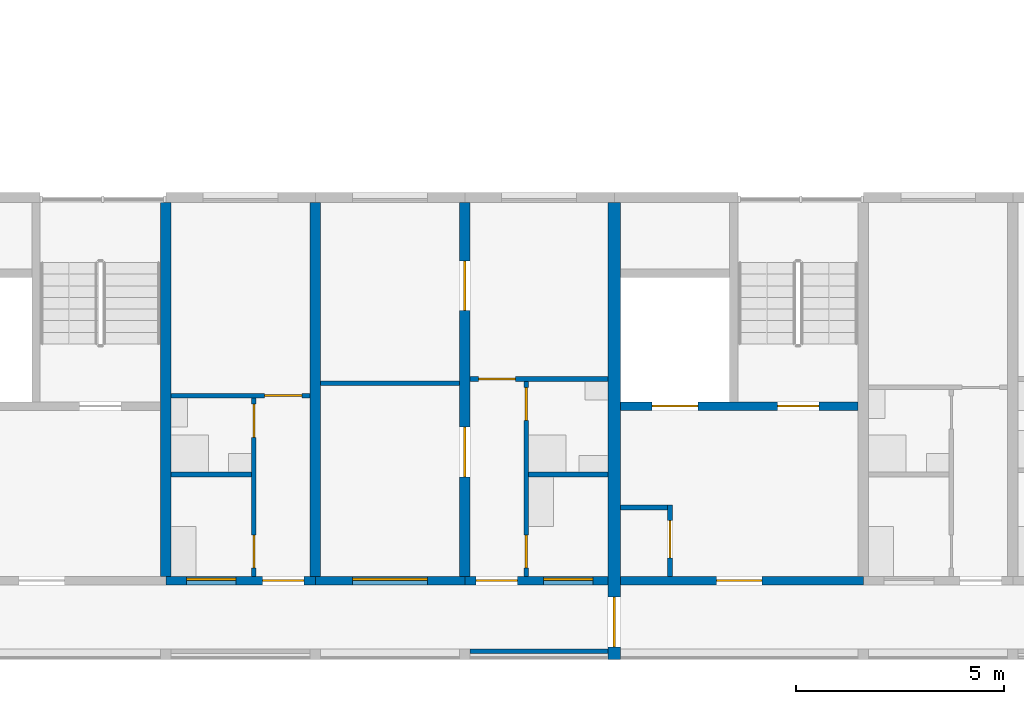
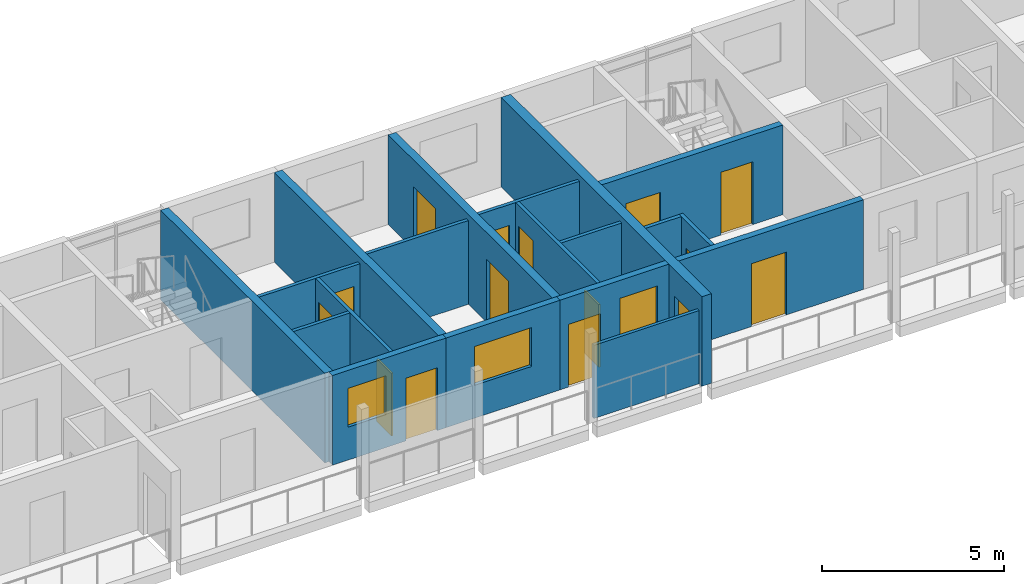
# One storey, part 54 of 98: 19 walls, 15 doors, 3 windows, 18 openings.
"""IFC4 building model written with IfcOpenShell, lengths in metres."""

from ifc_helpers import new_model, si_unit, direction, frame, frame_2d, origin, place, context, subcontext, project, spatial, rectangle, extrude, material, layer, layer_set, type_object, element, fill, save


model = new_model("IFC4")

# Units and contexts
model_context = context("Model", 3, precision=1e-05, world=origin(), true_north=direction((0.0, 1.0)))
body_context = subcontext(model_context, "Body", "Model", "MODEL_VIEW")
ifc_project = project(units=[si_unit("LENGTHUNIT", "METRE"), si_unit("AREAUNIT", "SQUARE_METRE"), si_unit("VOLUMEUNIT", "CUBIC_METRE"), si_unit("PLANEANGLEUNIT", "RADIAN"), si_unit("MASSUNIT", "GRAM", prefix="KILO")], contexts=[model_context])

# Site, building, storey
site_placement = place(None, origin())
site = spatial("IfcSite", under=ifc_project, at=site_placement, CompositionType="ELEMENT")
building_placement = place(site_placement, origin())
building = spatial("IfcBuilding", under=site, at=building_placement, Name="Ridgestep Commons", CompositionType="ELEMENT")
storey_placement = place(building_placement, frame((0.0, 0.0, 12.0)))
storey = spatial("IfcBuildingStorey", under=building, at=storey_placement, Name="L04", CompositionType="ELEMENT", Elevation=12.0)

# Wall
ifc_material_1 = material(Name="Concrete C30/37", Category="concrete")
ifc_layer_1 = layer(ifc_material_1, 0.25)
ifc_layer_set_1 = layer_set([ifc_layer_1], Name="Core cross wall 250")
wall_type_1 = type_object("IfcWallType", Name="Core cross wall 250", PredefinedType="SHEAR", material=ifc_layer_set_1)
wall_1_placement = place(storey_placement, frame((220.0, 13.75, 0.0), z_axis=(0.0, 0.0, 1.0), x_axis=(0.0, 1.0, 0.0)))
element("IfcWall", 1, at=wall_1_placement, inside=storey, type_object=wall_type_1, Name="Cross wall D-04-2200", PredefinedType="SHEAR", context=body_context, shape_type="SweptSolid", body=[
    extrude(rectangle(XDim=9.0, YDim=0.25, at=frame_2d((4.5, 0.0))), origin(), (0.0, 0.0, 1.0), 3.0),
])

# Wall, opening, door
ifc_material_2 = material(Name="Concrete C30/37", Category="concrete")
ifc_layer_2 = layer(ifc_material_2, 0.199951171875)
ifc_layer_set_2 = layer_set([ifc_layer_2], Name="Core south wall 200")
wall_type_2 = type_object("IfcWallType", Name="Core south wall 200", PredefinedType="SHEAR", material=ifc_layer_set_2)
wall_2_placement = place(storey_placement, frame((230.949951171875, 13.64990234375, 0.0), z_axis=(0.0, 0.0, 1.0), x_axis=(1.0, 0.0, 0.0)))
wall_2 = element("IfcWall", 2, at=wall_2_placement, inside=storey, type_object=wall_type_2, Name="Core south wall D6C L04", PredefinedType="SHEAR", context=body_context, shape_type="SweptSolid", body=[
    extrude(rectangle(XDim=5.85009765625, YDim=0.199951171875, at=frame_2d((2.925048828125, 0.0))), origin(), (0.0, 0.0, 1.0), 3.0),
])
opening_1_placement = place(wall_2_placement, frame((2.3125, 0.0, 0.0)))
opening_1 = element("IfcOpeningElement", 3, at=opening_1_placement, cuts=wall_2, Name="Opening D6C/04/1", PredefinedType="OPENING", context=body_context, shape_type="SweptSolid", body=[
    extrude(rectangle(XDim=1.10009765625, YDim=2.10009765625, at=frame_2d((0.550048828125, 1.050048828125))), frame((0.0, 0.10986328125, 0.0), z_axis=(0.0, -1.0, 0.0), x_axis=(1.0, 0.0, 0.0)), (0.0, 0.0, 1.0), 0.219970703125),
])
ifc_material_3 = material(Name="Steel fire door", Category="steel")
door_type_1 = type_object("IfcDoorType", Name="Lobby door 1100 x 2100 FD60", OperationType="NOTDEFINED", PredefinedType="DOOR", material=ifc_material_3)
door_1_placement = place(opening_1_placement, origin())
door_1 = element("IfcDoor", 4, at=door_1_placement, inside=storey, type_object=door_type_1, Name="Lobby door D6C/04/1", OperationType="SINGLE_SWING_LEFT", OverallHeight=2.10009765625, OverallWidth=1.10009765625, PredefinedType="DOOR", context=body_context, shape_type="SweptSolid", body=[
    extrude(rectangle(XDim=1.10009765625, YDim=2.10009765625, at=frame_2d((0.550048828125, 1.050048828125))), frame((0.0, 0.02490234375, 0.0), z_axis=(0.0, -1.0, 0.0), x_axis=(1.0, 0.0, 0.0)), (0.0, 0.0, 1.0), 0.050048828125),
])
fill(opening_1, door_1)

ifc_material_4 = material(Name="Concrete C30/37", Category="concrete")
ifc_layer_3 = layer(ifc_material_4, 0.1201171875)
ifc_layer_set_3 = layer_set([ifc_layer_3], Name="Core wall 120")
wall_type_3 = type_object("IfcWallType", Name="Core wall 120", PredefinedType="SHEAR", material=ifc_layer_set_3)
wall_3_placement = place(storey_placement, frame((232.139892578125, 13.75, 0.0), z_axis=(0.0, 0.0, 1.0), x_axis=(0.0, 1.0, 0.0)))
wall_3 = element("IfcWall", 5, at=wall_3_placement, inside=storey, type_object=wall_type_3, Name="Core riser w wall D6C L04", PredefinedType="SHEAR", context=body_context, shape_type="SweptSolid", body=[
    extrude(rectangle(XDim=1.719970703125, YDim=0.1201171875, at=frame_2d((0.85986328125, 0.0))), origin(), (0.0, 0.0, 1.0), 3.0),
])
opening_2_placement = place(wall_3_placement, frame((0.449951171875, 0.0, 0.0)))
opening_2 = element("IfcOpeningElement", 6, at=opening_2_placement, cuts=wall_3, Name="Opening D6C/04/4", PredefinedType="OPENING", context=body_context, shape_type="SweptSolid", body=[
    extrude(rectangle(XDim=0.89990234375, YDim=2.10009765625, at=frame_2d((0.449951171875, 1.050048828125))), frame((0.0, 0.070068359375, 0.0), z_axis=(0.0, -1.0, 0.0), x_axis=(1.0, 0.0, 0.0)), (0.0, 0.0, 1.0), 0.14013671875),
])
ifc_material_5 = material(Name="Steel fire door", Category="steel")
door_type_2 = type_object("IfcDoorType", Name="Riser door 900 x 2100 FD60", OperationType="NOTDEFINED", PredefinedType="DOOR", material=ifc_material_5)
door_2_placement = place(opening_2_placement, origin())
door_2 = element("IfcDoor", 7, at=door_2_placement, inside=storey, type_object=door_type_2, Name="Riser door D6C/04/4", OperationType="SINGLE_SWING_RIGHT", OverallHeight=2.10009765625, OverallWidth=0.89990234375, PredefinedType="DOOR", context=body_context, shape_type="SweptSolid", body=[
    extrude(rectangle(XDim=0.89990234375, YDim=2.10009765625, at=frame_2d((0.449951171875, 1.050048828125))), frame((0.0, 0.02490234375, 0.0), z_axis=(0.0, -1.0, 0.0), x_axis=(1.0, 0.0, 0.0)), (0.0, 0.0, 1.0), 0.050048828125),
])
fill(opening_2, door_2)

# Wall
wall_4_placement = place(storey_placement, frame((230.949951171875, 15.409912109375, 0.0), z_axis=(0.0, 0.0, 1.0), x_axis=(1.0, 0.0, 0.0)))
element("IfcWall", 8, at=wall_4_placement, inside=storey, type_object=wall_type_3, Name="Core riser n wall D6C L04", PredefinedType="SHEAR", context=body_context, shape_type="SweptSolid", body=[
    extrude(rectangle(XDim=1.130126953125, YDim=0.1201171875, at=frame_2d((0.56494140625, 0.0))), origin(), (0.0, 0.0, 1.0), 3.0),
])

# Wall, openings, doors
ifc_material_6 = material(Name="Concrete C30/37", Category="concrete")
ifc_layer_4 = layer(ifc_material_6, 0.199951171875)
ifc_layer_set_4 = layer_set([ifc_layer_4], Name="Core wall 200")
wall_type_4 = type_object("IfcWallType", Name="Core wall 200", PredefinedType="SHEAR", material=ifc_layer_set_4)
wall_5_placement = place(storey_placement, frame((230.949951171875, 17.85009765625, 0.0), z_axis=(0.0, 0.0, 1.0), x_axis=(1.0, 0.0, 0.0)))
wall_5 = element("IfcWall", 9, at=wall_5_placement, inside=storey, type_object=wall_type_4, Name="Core lobby wall D6C L04", PredefinedType="SHEAR", context=body_context, shape_type="SweptSolid", body=[
    extrude(rectangle(XDim=5.72509765625, YDim=0.199951171875, at=frame_2d((2.862548828125, 0.0))), origin(), (0.0, 0.0, 1.0), 3.0),
])
opening_3_placement = place(wall_5_placement, frame((3.77490234375, 0.0, 0.0)))
opening_3 = element("IfcOpeningElement", 10, at=opening_3_placement, cuts=wall_5, Name="Opening D6C/04/2", PredefinedType="OPENING", context=body_context, shape_type="SweptSolid", body=[
    extrude(rectangle(XDim=1.0, YDim=2.10009765625, at=frame_2d((0.5, 1.050048828125))), frame((0.0, 0.10986328125, 0.0), z_axis=(0.0, -1.0, 0.0), x_axis=(1.0, 0.0, 0.0)), (0.0, 0.0, 1.0), 0.219970703125),
])
opening_4_placement = place(wall_5_placement, frame((0.762451171875, 0.0, 0.0)))
opening_4 = element("IfcOpeningElement", 11, at=opening_4_placement, cuts=wall_5, Name="Opening D6C/04/3", PredefinedType="OPENING", context=body_context, shape_type="SweptSolid", body=[
    extrude(rectangle(XDim=1.10009765625, YDim=2.10009765625, at=frame_2d((0.550048828125, 1.050048828125))), frame((0.0, 0.10986328125, 0.0), z_axis=(0.0, -1.0, 0.0), x_axis=(1.0, 0.0, 0.0)), (0.0, 0.0, 1.0), 0.219970703125),
])
ifc_material_7 = material(Name="Stainless steel", Category="steel")
door_type_3 = type_object("IfcDoorType", Name="Lift landing door 1100 x 2100 FD60", OperationType="DOUBLE_DOOR_SLIDING", PredefinedType="DOOR", material=ifc_material_7)
door_3_placement = place(opening_4_placement, origin())
door_3 = element("IfcDoor", 12, at=door_3_placement, inside=storey, type_object=door_type_3, Name="Landing door LD D6C L04", OperationType="DOUBLE_DOOR_SLIDING", OverallHeight=2.10009765625, OverallWidth=1.10009765625, PredefinedType="DOOR", context=body_context, shape_type="SweptSolid", body=[
    extrude(rectangle(XDim=1.10009765625, YDim=2.10009765625, at=frame_2d((0.550048828125, 1.050048828125))), frame((0.0, 0.02490234375, 0.0), z_axis=(0.0, -1.0, 0.0), x_axis=(1.0, 0.0, 0.0)), (0.0, 0.0, 1.0), 0.050048828125),
])
fill(opening_4, door_3)
ifc_material_8 = material(Name="Steel fire door", Category="steel")
door_type_4 = type_object("IfcDoorType", Name="Stair door 1000 x 2100 FD60", OperationType="NOTDEFINED", PredefinedType="DOOR", material=ifc_material_8)
door_4_placement = place(opening_3_placement, origin())
door_4 = element("IfcDoor", 13, at=door_4_placement, inside=storey, type_object=door_type_4, Name="Stair door D6C/04/2", OperationType="SINGLE_SWING_RIGHT", OverallHeight=2.10009765625, OverallWidth=1.0, PredefinedType="DOOR", context=body_context, shape_type="SweptSolid", body=[
    extrude(rectangle(XDim=1.0, YDim=2.10009765625, at=frame_2d((0.5, 1.050048828125))), frame((0.0, 0.02490234375, 0.0), z_axis=(0.0, -1.0, 0.0), x_axis=(1.0, 0.0, 0.0)), (0.0, 0.0, 1.0), 0.050048828125),
])
fill(opening_3, door_4)

# Wall
ifc_material_9 = material(Name="Precast concrete C40/50", Category="concrete")
ifc_layer_5 = layer(ifc_material_9, 0.25)
ifc_layer_set_5 = layer_set([ifc_layer_5], Name="Cross wall 250")
wall_type_5 = type_object("IfcWallType", Name="Cross wall 250", PredefinedType="SHEAR", material=ifc_layer_set_5)
wall_6_placement = place(storey_placement, frame((223.60009765625, 13.75, 0.0), z_axis=(0.0, 0.0, 1.0), x_axis=(0.0, 1.0, 0.0)))
element("IfcWall", 14, at=wall_6_placement, inside=storey, type_object=wall_type_5, Name="Cross wall D-04-2236", PredefinedType="SHEAR", context=body_context, shape_type="SweptSolid", body=[
    extrude(rectangle(XDim=9.0, YDim=0.25, at=frame_2d((4.5, 0.0))), origin(), (0.0, 0.0, 1.0), 3.0),
])

# Wall, openings, doors
wall_7_placement = place(storey_placement, frame((227.199951171875, 13.75, 0.0), z_axis=(0.0, 0.0, 1.0), x_axis=(0.0, 1.0, 0.0)))
wall_7 = element("IfcWall", 15, at=wall_7_placement, inside=storey, type_object=wall_type_5, Name="Cross wall D-04-2272", PredefinedType="SHEAR", context=body_context, shape_type="SweptSolid", body=[
    extrude(rectangle(XDim=9.0, YDim=0.25, at=frame_2d((4.5, 0.0))), origin(), (0.0, 0.0, 1.0), 3.0),
])
opening_5_placement = place(wall_7_placement, frame((2.39990234375, 0.0, 0.0)))
opening_5 = element("IfcOpeningElement", 16, at=opening_5_placement, cuts=wall_7, Name="Opening D5-04a/5", PredefinedType="OPENING", context=body_context, shape_type="SweptSolid", body=[
    extrude(rectangle(XDim=1.199951171875, YDim=2.10009765625, at=frame_2d((0.60009765625, 1.050048828125))), frame((0.0, 0.135009765625, 0.0), z_axis=(0.0, -1.0, 0.0), x_axis=(1.0, 0.0, 0.0)), (0.0, 0.0, 1.0), 0.27001953125),
])
opening_6_placement = place(wall_7_placement, frame((6.39990234375, 0.0, 0.0)))
opening_6 = element("IfcOpeningElement", 17, at=opening_6_placement, cuts=wall_7, Name="Opening D5-04a/6", PredefinedType="OPENING", context=body_context, shape_type="SweptSolid", body=[
    extrude(rectangle(XDim=1.199951171875, YDim=2.10009765625, at=frame_2d((0.60009765625, 1.050048828125))), frame((0.0, 0.135009765625, 0.0), z_axis=(0.0, -1.0, 0.0), x_axis=(1.0, 0.0, 0.0)), (0.0, 0.0, 1.0), 0.27001953125),
])
ifc_material_10 = material(Name="Timber door leaf", Category="wood")
door_type_5 = type_object("IfcDoorType", Name="Double door 1200 x 2100", OperationType="DOUBLE_DOOR_SINGLE_SWING", PredefinedType="DOOR", material=ifc_material_10)
door_5_placement = place(opening_5_placement, origin())
door_5 = element("IfcDoor", 18, at=door_5_placement, inside=storey, type_object=door_type_5, Name="Double door D5-04a/5", OperationType="DOUBLE_DOOR_SINGLE_SWING", OverallHeight=2.10009765625, OverallWidth=1.199951171875, PredefinedType="DOOR", context=body_context, shape_type="SweptSolid", body=[
    extrude(rectangle(XDim=1.199951171875, YDim=2.10009765625, at=frame_2d((0.60009765625, 1.050048828125))), frame((0.0, 0.02490234375, 0.0), z_axis=(0.0, -1.0, 0.0), x_axis=(1.0, 0.0, 0.0)), (0.0, 0.0, 1.0), 0.050048828125),
])
fill(opening_5, door_5)
door_6_placement = place(opening_6_placement, origin())
door_6 = element("IfcDoor", 19, at=door_6_placement, inside=storey, type_object=door_type_5, Name="Double door D5-04a/6", OperationType="DOUBLE_DOOR_SINGLE_SWING", OverallHeight=2.10009765625, OverallWidth=1.199951171875, PredefinedType="DOOR", context=body_context, shape_type="SweptSolid", body=[
    extrude(rectangle(XDim=1.199951171875, YDim=2.10009765625, at=frame_2d((0.60009765625, 1.050048828125))), frame((0.0, 0.02490234375, 0.0), z_axis=(0.0, -1.0, 0.0), x_axis=(1.0, 0.0, 0.0)), (0.0, 0.0, 1.0), 0.050048828125),
])
fill(opening_6, door_6)

# Wall, opening, door
ifc_material_11 = material(Name="Precast concrete C40/50", Category="concrete")
ifc_layer_6 = layer(ifc_material_11, 0.300048828125)
ifc_layer_set_6 = layer_set([ifc_layer_6], Name="Division wall 300")
wall_type_6 = type_object("IfcWallType", Name="Division wall 300", PredefinedType="SHEAR", material=ifc_layer_set_6)
wall_8_placement = place(storey_placement, frame((230.800048828125, 11.75, 0.0), z_axis=(0.0, 0.0, 1.0), x_axis=(0.0, 1.0, 0.0)))
wall_8 = element("IfcWall", 20, at=wall_8_placement, inside=storey, type_object=wall_type_6, Name="Cross wall D-04-2308", PredefinedType="SHEAR", context=body_context, shape_type="SweptSolid", body=[
    extrude(rectangle(XDim=11.0, YDim=0.300048828125, at=frame_2d((5.5, 0.0))), origin(), (0.0, 0.0, 1.0), 3.0),
])
opening_7_placement = place(wall_8_placement, frame((0.300048828125, 0.0, 0.0)))
opening_7 = element("IfcOpeningElement", 21, at=opening_7_placement, cuts=wall_8, Name="Opening D/04/G2308", PredefinedType="OPENING", context=body_context, shape_type="SweptSolid", body=[
    extrude(rectangle(XDim=1.199951171875, YDim=2.10009765625, at=frame_2d((0.60009765625, 1.050048828125))), frame((0.0, 0.159912109375, 0.0), z_axis=(0.0, -1.0, 0.0), x_axis=(1.0, 0.0, 0.0)), (0.0, 0.0, 1.0), 0.320068359375),
])
ifc_material_12 = material(Name="Steel fire door", Category="steel")
door_type_6 = type_object("IfcDoorType", Name="Division fire door 1200 x 2100 EI 240", OperationType="DOUBLE_DOOR_SINGLE_SWING", PredefinedType="DOOR", material=ifc_material_12)
door_7_placement = place(opening_7_placement, origin())
door_7 = element("IfcDoor", 22, at=door_7_placement, inside=storey, type_object=door_type_6, Name="Division fire door D/04/G2308", OperationType="DOUBLE_DOOR_SINGLE_SWING", OverallHeight=2.10009765625, OverallWidth=1.199951171875, PredefinedType="DOOR", context=body_context, shape_type="SweptSolid", body=[
    extrude(rectangle(XDim=1.199951171875, YDim=2.10009765625, at=frame_2d((0.60009765625, 1.050048828125))), frame((0.0, 0.02490234375, 0.0), z_axis=(0.0, -1.0, 0.0), x_axis=(1.0, 0.0, 0.0)), (0.0, 0.0, 1.0), 0.050048828125),
])
fill(opening_7, door_7)

# Wall, openings, doors
ifc_material_13 = material(Name="Common brick 110 mm", Category="masonry")
ifc_layer_7 = layer(ifc_material_13, 0.110107421875)
ifc_layer_set_7 = layer_set([ifc_layer_7], Name="Partition 110")
wall_type_7 = type_object("IfcWallType", Name="Partition 110", PredefinedType="PARTITIONING", material=ifc_layer_set_7)
wall_9_placement = place(storey_placement, frame((228.679931640625, 13.75, 0.0), z_axis=(0.0, 0.0, 1.0), x_axis=(0.0, 1.0, 0.0)))
wall_9 = element("IfcWall", 23, at=wall_9_placement, inside=storey, type_object=wall_type_7, Name="Partition D5-04a", PredefinedType="PARTITIONING", context=body_context, shape_type="SweptSolid", body=[
    extrude(rectangle(XDim=4.699951171875, YDim=0.110107421875, at=frame_2d((2.35009765625, 0.0))), origin(), (0.0, 0.0, 1.0), 2.800048828125),
])
opening_8_placement = place(wall_9_placement, frame((0.199951171875, 0.0, 0.0)))
opening_8 = element("IfcOpeningElement", 24, at=opening_8_placement, cuts=wall_9, Name="Opening D5-04a/2", PredefinedType="OPENING", context=body_context, shape_type="SweptSolid", body=[
    extrude(rectangle(XDim=0.800048828125, YDim=2.10009765625, at=frame_2d((0.39990234375, 1.050048828125))), frame((0.0, 0.06494140625, 0.0), z_axis=(0.0, -1.0, 0.0), x_axis=(1.0, 0.0, 0.0)), (0.0, 0.0, 1.0), 0.130126953125),
])
opening_9_placement = place(wall_9_placement, frame((3.75, 0.0, 0.0)))
opening_9 = element("IfcOpeningElement", 25, at=opening_9_placement, cuts=wall_9, Name="Opening D5-04a/3", PredefinedType="OPENING", context=body_context, shape_type="SweptSolid", body=[
    extrude(rectangle(XDim=0.800048828125, YDim=2.10009765625, at=frame_2d((0.39990234375, 1.050048828125))), frame((0.0, 0.06494140625, 0.0), z_axis=(0.0, -1.0, 0.0), x_axis=(1.0, 0.0, 0.0)), (0.0, 0.0, 1.0), 0.130126953125),
])
ifc_material_14 = material(Name="Timber door leaf", Category="wood")
door_type_7 = type_object("IfcDoorType", Name="Internal door 800 x 2100", OperationType="NOTDEFINED", PredefinedType="DOOR", material=ifc_material_14)
door_8_placement = place(opening_8_placement, origin())
door_8 = element("IfcDoor", 26, at=door_8_placement, inside=storey, type_object=door_type_7, Name="Internal door D5-04a/2", OperationType="SINGLE_SWING_RIGHT", OverallHeight=2.10009765625, OverallWidth=0.800048828125, PredefinedType="DOOR", context=body_context, shape_type="SweptSolid", body=[
    extrude(rectangle(XDim=0.800048828125, YDim=2.10009765625, at=frame_2d((0.39990234375, 1.050048828125))), frame((0.0, 0.02490234375, 0.0), z_axis=(0.0, -1.0, 0.0), x_axis=(1.0, 0.0, 0.0)), (0.0, 0.0, 1.0), 0.050048828125),
])
fill(opening_8, door_8)
door_9_placement = place(opening_9_placement, origin())
door_9 = element("IfcDoor", 27, at=door_9_placement, inside=storey, type_object=door_type_7, Name="Internal door D5-04a/3", OperationType="SINGLE_SWING_LEFT", OverallHeight=2.10009765625, OverallWidth=0.800048828125, PredefinedType="DOOR", context=body_context, shape_type="SweptSolid", body=[
    extrude(rectangle(XDim=0.800048828125, YDim=2.10009765625, at=frame_2d((0.39990234375, 1.050048828125))), frame((0.0, 0.02490234375, 0.0), z_axis=(0.0, -1.0, 0.0), x_axis=(1.0, 0.0, 0.0)), (0.0, 0.0, 1.0), 0.050048828125),
])
fill(opening_9, door_9)

# Wall
wall_10_placement = place(storey_placement, frame((228.735107421875, 16.205078125, 0.0), z_axis=(0.0, 0.0, 1.0), x_axis=(1.0, 0.0, 0.0)))
element("IfcWall", 28, at=wall_10_placement, inside=storey, type_object=wall_type_7, Name="Partition D5-04a", PredefinedType="PARTITIONING", context=body_context, shape_type="SweptSolid", body=[
    extrude(rectangle(XDim=1.914794921875, YDim=0.110107421875, at=frame_2d((0.95751953125, 0.0))), origin(), (0.0, 0.0, 1.0), 2.800048828125),
])

# Wall, opening, door
wall_11_placement = place(storey_placement, frame((227.324951171875, 18.5048828125, 0.0), z_axis=(0.0, 0.0, 1.0), x_axis=(1.0, 0.0, 0.0)))
wall_11 = element("IfcWall", 29, at=wall_11_placement, inside=storey, type_object=wall_type_7, Name="Partition D5-04a", PredefinedType="PARTITIONING", context=body_context, shape_type="SweptSolid", body=[
    extrude(rectangle(XDim=3.324951171875, YDim=0.110107421875, at=frame_2d((1.66259765625, 0.0))), origin(), (0.0, 0.0, 1.0), 2.800048828125),
])
opening_10_placement = place(wall_11_placement, frame((0.199951171875, 0.0, 0.0)))
opening_10 = element("IfcOpeningElement", 30, at=opening_10_placement, cuts=wall_11, Name="Opening D5-04a/4", PredefinedType="OPENING", context=body_context, shape_type="SweptSolid", body=[
    extrude(rectangle(XDim=0.89990234375, YDim=2.10009765625, at=frame_2d((0.449951171875, 1.050048828125))), frame((0.0, 0.06494140625, 0.0), z_axis=(0.0, -1.0, 0.0), x_axis=(1.0, 0.0, 0.0)), (0.0, 0.0, 1.0), 0.130126953125),
])
ifc_material_15 = material(Name="Timber door leaf", Category="wood")
door_type_8 = type_object("IfcDoorType", Name="Internal door 900 x 2100", OperationType="NOTDEFINED", PredefinedType="DOOR", material=ifc_material_15)
door_10_placement = place(opening_10_placement, origin())
door_10 = element("IfcDoor", 31, at=door_10_placement, inside=storey, type_object=door_type_8, Name="Internal door D5-04a/4", OperationType="SINGLE_SWING_LEFT", OverallHeight=2.10009765625, OverallWidth=0.89990234375, PredefinedType="DOOR", context=body_context, shape_type="SweptSolid", body=[
    extrude(rectangle(XDim=0.89990234375, YDim=2.10009765625, at=frame_2d((0.449951171875, 1.050048828125))), frame((0.0, 0.02490234375, 0.0), z_axis=(0.0, -1.0, 0.0), x_axis=(1.0, 0.0, 0.0)), (0.0, 0.0, 1.0), 0.050048828125),
])
fill(opening_10, door_10)

# Walls
wall_12_placement = place(storey_placement, frame((223.72509765625, 18.405029296875, 0.0), z_axis=(0.0, 0.0, 1.0), x_axis=(1.0, 0.0, 0.0)))
element("IfcWall", 32, at=wall_12_placement, inside=storey, type_object=wall_type_7, Name="Partition D5-04a", PredefinedType="PARTITIONING", context=body_context, shape_type="SweptSolid", body=[
    extrude(rectangle(XDim=3.349853515625, YDim=0.110107421875, at=frame_2d((1.6748046875, 0.0))), origin(), (0.0, 0.0, 1.0), 2.800048828125),
])
wall_13_placement = place(storey_placement, frame((220.125, 16.205078125, 0.0), z_axis=(0.0, 0.0, 1.0), x_axis=(1.0, 0.0, 0.0)))
element("IfcWall", 33, at=wall_13_placement, inside=storey, type_object=wall_type_7, Name="Partition D5-04b", PredefinedType="PARTITIONING", context=body_context, shape_type="SweptSolid", body=[
    extrude(rectangle(XDim=1.93994140625, YDim=0.110107421875, at=frame_2d((0.969970703125, 0.0))), origin(), (0.0, 0.0, 1.0), 2.800048828125),
])

# Wall, openings, doors
wall_14_placement = place(storey_placement, frame((222.1201171875, 13.75, 0.0), z_axis=(0.0, 0.0, 1.0), x_axis=(0.0, 1.0, 0.0)))
wall_14 = element("IfcWall", 34, at=wall_14_placement, inside=storey, type_object=wall_type_7, Name="Partition D5-04b", PredefinedType="PARTITIONING", context=body_context, shape_type="SweptSolid", body=[
    extrude(rectangle(XDim=4.300048828125, YDim=0.110107421875, at=frame_2d((2.14990234375, 0.0))), origin(), (0.0, 0.0, 1.0), 2.800048828125),
])
opening_11_placement = place(wall_14_placement, frame((0.199951171875, 0.0, 0.0)))
opening_11 = element("IfcOpeningElement", 35, at=opening_11_placement, cuts=wall_14, Name="Opening D5-04b/2", PredefinedType="OPENING", context=body_context, shape_type="SweptSolid", body=[
    extrude(rectangle(XDim=0.800048828125, YDim=2.10009765625, at=frame_2d((0.39990234375, 1.050048828125))), frame((0.0, 0.06494140625, 0.0), z_axis=(0.0, -1.0, 0.0), x_axis=(1.0, 0.0, 0.0)), (0.0, 0.0, 1.0), 0.130126953125),
])
opening_12_placement = place(wall_14_placement, frame((3.35009765625, 0.0, 0.0)))
opening_12 = element("IfcOpeningElement", 36, at=opening_12_placement, cuts=wall_14, Name="Opening D5-04b/3", PredefinedType="OPENING", context=body_context, shape_type="SweptSolid", body=[
    extrude(rectangle(XDim=0.800048828125, YDim=2.10009765625, at=frame_2d((0.39990234375, 1.050048828125))), frame((0.0, 0.06494140625, 0.0), z_axis=(0.0, -1.0, 0.0), x_axis=(1.0, 0.0, 0.0)), (0.0, 0.0, 1.0), 0.130126953125),
])
door_11_placement = place(opening_11_placement, origin())
door_11 = element("IfcDoor", 37, at=door_11_placement, inside=storey, type_object=door_type_7, Name="Internal door D5-04b/2", OperationType="SINGLE_SWING_LEFT", OverallHeight=2.10009765625, OverallWidth=0.800048828125, PredefinedType="DOOR", context=body_context, shape_type="SweptSolid", body=[
    extrude(rectangle(XDim=0.800048828125, YDim=2.10009765625, at=frame_2d((0.39990234375, 1.050048828125))), frame((0.0, 0.02490234375, 0.0), z_axis=(0.0, -1.0, 0.0), x_axis=(1.0, 0.0, 0.0)), (0.0, 0.0, 1.0), 0.050048828125),
])
fill(opening_11, door_11)
door_12_placement = place(opening_12_placement, origin())
door_12 = element("IfcDoor", 38, at=door_12_placement, inside=storey, type_object=door_type_7, Name="Internal door D5-04b/3", OperationType="SINGLE_SWING_RIGHT", OverallHeight=2.10009765625, OverallWidth=0.800048828125, PredefinedType="DOOR", context=body_context, shape_type="SweptSolid", body=[
    extrude(rectangle(XDim=0.800048828125, YDim=2.10009765625, at=frame_2d((0.39990234375, 1.050048828125))), frame((0.0, 0.02490234375, 0.0), z_axis=(0.0, -1.0, 0.0), x_axis=(1.0, 0.0, 0.0)), (0.0, 0.0, 1.0), 0.050048828125),
])
fill(opening_12, door_12)

# Wall, opening, door
wall_15_placement = place(storey_placement, frame((220.125, 18.10498046875, 0.0), z_axis=(0.0, 0.0, 1.0), x_axis=(1.0, 0.0, 0.0)))
wall_15 = element("IfcWall", 39, at=wall_15_placement, inside=storey, type_object=wall_type_7, Name="Partition D5-04b", PredefinedType="PARTITIONING", context=body_context, shape_type="SweptSolid", body=[
    extrude(rectangle(XDim=3.35009765625, YDim=0.110107421875, at=frame_2d((1.675048828125, 0.0))), origin(), (0.0, 0.0, 1.0), 2.800048828125),
])
opening_13_placement = place(wall_15_placement, frame((2.25, 0.0, 0.0)))
opening_13 = element("IfcOpeningElement", 40, at=opening_13_placement, cuts=wall_15, Name="Opening D5-04b/4", PredefinedType="OPENING", context=body_context, shape_type="SweptSolid", body=[
    extrude(rectangle(XDim=0.89990234375, YDim=2.10009765625, at=frame_2d((0.449951171875, 1.050048828125))), frame((0.0, 0.06494140625, 0.0), z_axis=(0.0, -1.0, 0.0), x_axis=(1.0, 0.0, 0.0)), (0.0, 0.0, 1.0), 0.130126953125),
])
door_13_placement = place(opening_13_placement, origin())
door_13 = element("IfcDoor", 41, at=door_13_placement, inside=storey, type_object=door_type_8, Name="Internal door D5-04b/4", OperationType="SINGLE_SWING_LEFT", OverallHeight=2.10009765625, OverallWidth=0.89990234375, PredefinedType="DOOR", context=body_context, shape_type="SweptSolid", body=[
    extrude(rectangle(XDim=0.89990234375, YDim=2.10009765625, at=frame_2d((0.449951171875, 1.050048828125))), frame((0.0, 0.02490234375, 0.0), z_axis=(0.0, -1.0, 0.0), x_axis=(1.0, 0.0, 0.0)), (0.0, 0.0, 1.0), 0.050048828125),
])
fill(opening_13, door_13)

# Wall
ifc_material_16 = material(Name="Precast concrete C30/37", Category="concrete")
ifc_layer_8 = layer(ifc_material_16, 0.10009765625)
ifc_layer_set_8 = layer_set([ifc_layer_8], Name="Perforated gallery screen 3325 x 2450 x 100")
wall_type_8 = type_object("IfcWallType", Name="Perforated gallery screen 3325 x 2450 x 100", PredefinedType="SOLIDWALL", material=ifc_layer_set_8)
wall_16_placement = place(storey_placement, frame((227.324951171875, 11.949951171875, 0.0), z_axis=(0.0, 0.0, 1.0), x_axis=(1.0, 0.0, 0.0)))
element("IfcWall", 42, at=wall_16_placement, inside=storey, type_object=wall_type_8, Name="Gallery screen D5T1 04", PredefinedType="SOLIDWALL", context=body_context, shape_type="SweptSolid", body=[
    extrude(rectangle(XDim=3.324951171875, YDim=0.10009765625, at=frame_2d((1.66259765625, 0.0))), origin(), (0.0, 0.0, 1.0), 2.449951171875),
])

# Wall, openings, door, window
ifc_material_17 = material(Name="Precast concrete C40/50", Category="concrete")
ifc_layer_9 = layer(ifc_material_17, 0.199951171875)
ifc_layer_set_9 = layer_set([ifc_layer_9], Name="South facade panel 200")
wall_type_9 = type_object("IfcWallType", Name="South facade panel 200", PredefinedType="SOLIDWALL", material=ifc_layer_set_9)
wall_17_placement = place(storey_placement, frame((220.0, 13.64990234375, 0.0), z_axis=(0.0, 0.0, 1.0), x_axis=(1.0, 0.0, 0.0)))
wall_17 = element("IfcWall", 43, at=wall_17_placement, inside=storey, type_object=wall_type_9, Name="South panel D5T3 L04", PredefinedType="SOLIDWALL", context=body_context, shape_type="SweptSolid", body=[
    extrude(rectangle(XDim=3.60009765625, YDim=0.199951171875, at=frame_2d((1.800048828125, 0.0))), origin(), (0.0, 0.0, 1.0), 3.0),
])
opening_14_placement = place(wall_17_placement, frame((0.4951171875, 0.0, 1.10009765625)))
opening_14 = element("IfcOpeningElement", 44, at=opening_14_placement, cuts=wall_17, Name="Opening W08", PredefinedType="OPENING", context=body_context, shape_type="SweptSolid", body=[
    extrude(rectangle(XDim=1.199951171875, YDim=1.300048828125, at=frame_2d((0.60009765625, 0.64990234375))), frame((0.0, 0.10986328125, 0.0), z_axis=(0.0, -1.0, 0.0), x_axis=(1.0, 0.0, 0.0)), (0.0, 0.0, 1.0), 0.219970703125),
])
opening_15_placement = place(wall_17_placement, frame((2.324951171875, 0.0, 0.0)))
opening_15 = element("IfcOpeningElement", 45, at=opening_15_placement, cuts=wall_17, Name="Opening D5-04b/1", PredefinedType="OPENING", context=body_context, shape_type="SweptSolid", body=[
    extrude(rectangle(XDim=1.0, YDim=2.10009765625, at=frame_2d((0.5, 1.050048828125))), frame((0.0, 0.10986328125, 0.0), z_axis=(0.0, -1.0, 0.0), x_axis=(1.0, 0.0, 0.0)), (0.0, 0.0, 1.0), 0.219970703125),
])
ifc_material_18 = material(Name="Timber door leaf", Category="wood")
door_type_9 = type_object("IfcDoorType", Name="Flat entrance door 1000 x 2100 FD30S", OperationType="NOTDEFINED", PredefinedType="DOOR", material=ifc_material_18)
door_14_placement = place(opening_15_placement, origin())
door_14 = element("IfcDoor", 46, at=door_14_placement, inside=storey, type_object=door_type_9, Name="Flat entrance door D5-04b/1", OperationType="SINGLE_SWING_RIGHT", OverallHeight=2.10009765625, OverallWidth=1.0, PredefinedType="DOOR", context=body_context, shape_type="SweptSolid", body=[
    extrude(rectangle(XDim=1.0, YDim=2.10009765625, at=frame_2d((0.5, 1.050048828125))), frame((0.0, 0.02490234375, 0.0), z_axis=(0.0, -1.0, 0.0), x_axis=(1.0, 0.0, 0.0)), (0.0, 0.0, 1.0), 0.050048828125),
])
fill(opening_15, door_14)
ifc_material_19 = material(Name="Aluminium 6063-T6 and glass", Category="aluminium")
window_type_1 = type_object("IfcWindowType", Name="Flat window 1200 x 1300", PartitioningType="SINGLE_PANEL", PredefinedType="WINDOW", material=ifc_material_19)
window_1_placement = place(opening_14_placement, origin())
window_1 = element("IfcWindow", 47, at=window_1_placement, inside=storey, type_object=window_type_1, Name="Window D5-04b 1", OverallHeight=1.300048828125, OverallWidth=1.199951171875, PartitioningType="SINGLE_PANEL", PredefinedType="WINDOW", context=body_context, shape_type="SweptSolid", body=[
    extrude(rectangle(XDim=1.199951171875, YDim=1.300048828125, at=frame_2d((0.60009765625, 0.64990234375))), frame((0.0, 0.06005859375, 0.0), z_axis=(0.0, -1.0, 0.0), x_axis=(1.0, 0.0, 0.0)), (0.0, 0.0, 1.0), 0.06005859375),
])
fill(opening_14, window_1)

# Wall, opening, window
wall_18_placement = place(storey_placement, frame((223.60009765625, 13.64990234375, 0.0), z_axis=(0.0, 0.0, 1.0), x_axis=(1.0, 0.0, 0.0)))
wall_18 = element("IfcWall", 48, at=wall_18_placement, inside=storey, type_object=wall_type_9, Name="South panel D5T2 L04", PredefinedType="SOLIDWALL", context=body_context, shape_type="SweptSolid", body=[
    extrude(rectangle(XDim=3.599853515625, YDim=0.199951171875, at=frame_2d((1.7998046875, 0.0))), origin(), (0.0, 0.0, 1.0), 3.0),
])
opening_16_placement = place(wall_18_placement, frame((0.89990234375, 0.0, 1.10009765625)))
opening_16 = element("IfcOpeningElement", 49, at=opening_16_placement, cuts=wall_18, Name="Opening W18", PredefinedType="OPENING", context=body_context, shape_type="SweptSolid", body=[
    extrude(rectangle(XDim=1.800048828125, YDim=1.300048828125, at=frame_2d((0.89990234375, 0.64990234375))), frame((0.0, 0.10986328125, 0.0), z_axis=(0.0, -1.0, 0.0), x_axis=(1.0, 0.0, 0.0)), (0.0, 0.0, 1.0), 0.219970703125),
])
ifc_material_20 = material(Name="Aluminium 6063-T6 and glass", Category="aluminium")
window_type_2 = type_object("IfcWindowType", Name="Flat window 1800 x 1300", PartitioningType="DOUBLE_PANEL_VERTICAL", PredefinedType="WINDOW", material=ifc_material_20)
window_2_placement = place(opening_16_placement, origin())
window_2 = element("IfcWindow", 50, at=window_2_placement, inside=storey, type_object=window_type_2, Name="Window D5-04a 1", OverallHeight=1.300048828125, OverallWidth=1.800048828125, PartitioningType="SINGLE_PANEL", PredefinedType="WINDOW", context=body_context, shape_type="SweptSolid", body=[
    extrude(rectangle(XDim=1.800048828125, YDim=1.300048828125, at=frame_2d((0.89990234375, 0.64990234375))), frame((0.0, 0.06005859375, 0.0), z_axis=(0.0, -1.0, 0.0), x_axis=(1.0, 0.0, 0.0)), (0.0, 0.0, 1.0), 0.06005859375),
])
fill(opening_16, window_2)

# Wall, openings, door, window
wall_19_placement = place(storey_placement, frame((227.199951171875, 13.64990234375, 0.0), z_axis=(0.0, 0.0, 1.0), x_axis=(1.0, 0.0, 0.0)))
wall_19 = element("IfcWall", 51, at=wall_19_placement, inside=storey, type_object=wall_type_9, Name="South panel D5T1 L04", PredefinedType="SOLIDWALL", context=body_context, shape_type="SweptSolid", body=[
    extrude(rectangle(XDim=3.449951171875, YDim=0.199951171875, at=frame_2d((1.72509765625, 0.0))), origin(), (0.0, 0.0, 1.0), 3.0),
])
opening_17_placement = place(wall_19_placement, frame((1.892578125, 0.0, 1.10009765625)))
opening_17 = element("IfcOpeningElement", 52, at=opening_17_placement, cuts=wall_19, Name="Opening W08", PredefinedType="OPENING", context=body_context, shape_type="SweptSolid", body=[
    extrude(rectangle(XDim=1.199951171875, YDim=1.300048828125, at=frame_2d((0.60009765625, 0.64990234375))), frame((0.0, 0.10986328125, 0.0), z_axis=(0.0, -1.0, 0.0), x_axis=(1.0, 0.0, 0.0)), (0.0, 0.0, 1.0), 0.219970703125),
])
opening_18_placement = place(wall_19_placement, frame((0.27490234375, 0.0, 0.0)))
opening_18 = element("IfcOpeningElement", 53, at=opening_18_placement, cuts=wall_19, Name="Opening D5-04a/1", PredefinedType="OPENING", context=body_context, shape_type="SweptSolid", body=[
    extrude(rectangle(XDim=1.0, YDim=2.10009765625, at=frame_2d((0.5, 1.050048828125))), frame((0.0, 0.10986328125, 0.0), z_axis=(0.0, -1.0, 0.0), x_axis=(1.0, 0.0, 0.0)), (0.0, 0.0, 1.0), 0.219970703125),
])
door_15_placement = place(opening_18_placement, origin())
door_15 = element("IfcDoor", 54, at=door_15_placement, inside=storey, type_object=door_type_9, Name="Flat entrance door D5-04a/1", OperationType="SINGLE_SWING_LEFT", OverallHeight=2.10009765625, OverallWidth=1.0, PredefinedType="DOOR", context=body_context, shape_type="SweptSolid", body=[
    extrude(rectangle(XDim=1.0, YDim=2.10009765625, at=frame_2d((0.5, 1.050048828125))), frame((0.0, 0.02490234375, 0.0), z_axis=(0.0, -1.0, 0.0), x_axis=(1.0, 0.0, 0.0)), (0.0, 0.0, 1.0), 0.050048828125),
])
fill(opening_18, door_15)
window_3_placement = place(opening_17_placement, origin())
window_3 = element("IfcWindow", 55, at=window_3_placement, inside=storey, type_object=window_type_1, Name="Window D5-04a 3", OverallHeight=1.300048828125, OverallWidth=1.199951171875, PartitioningType="SINGLE_PANEL", PredefinedType="WINDOW", context=body_context, shape_type="SweptSolid", body=[
    extrude(rectangle(XDim=1.199951171875, YDim=1.300048828125, at=frame_2d((0.60009765625, 0.64990234375))), frame((0.0, 0.06005859375, 0.0), z_axis=(0.0, -1.0, 0.0), x_axis=(1.0, 0.0, 0.0)), (0.0, 0.0, 1.0), 0.06005859375),
])
fill(opening_17, window_3)

save(model, "model.ifc")
